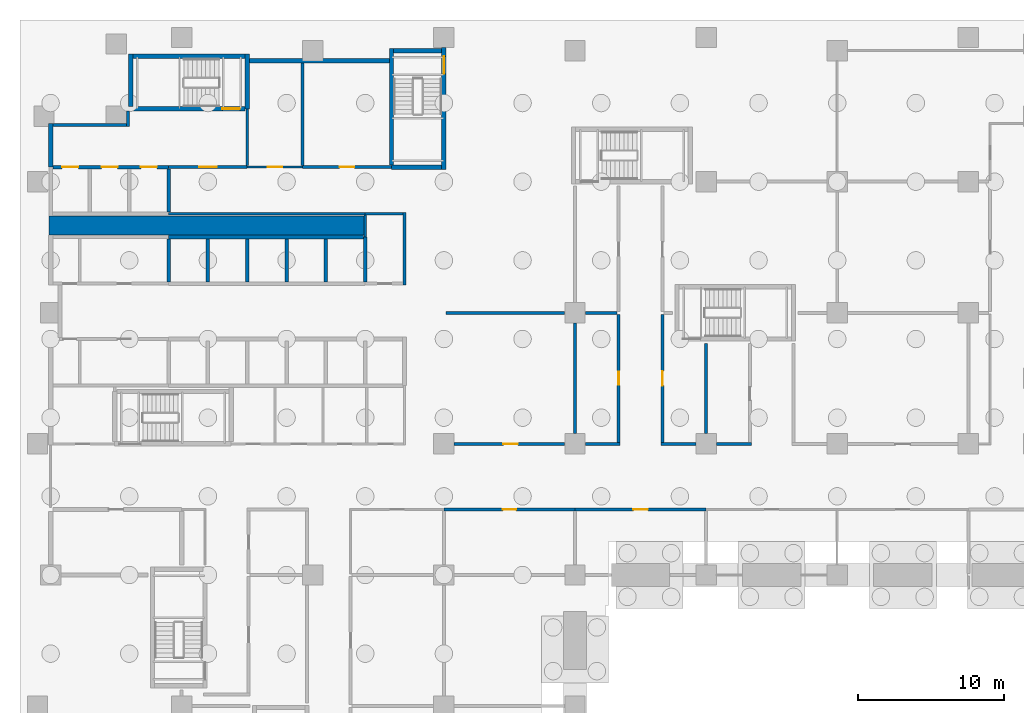
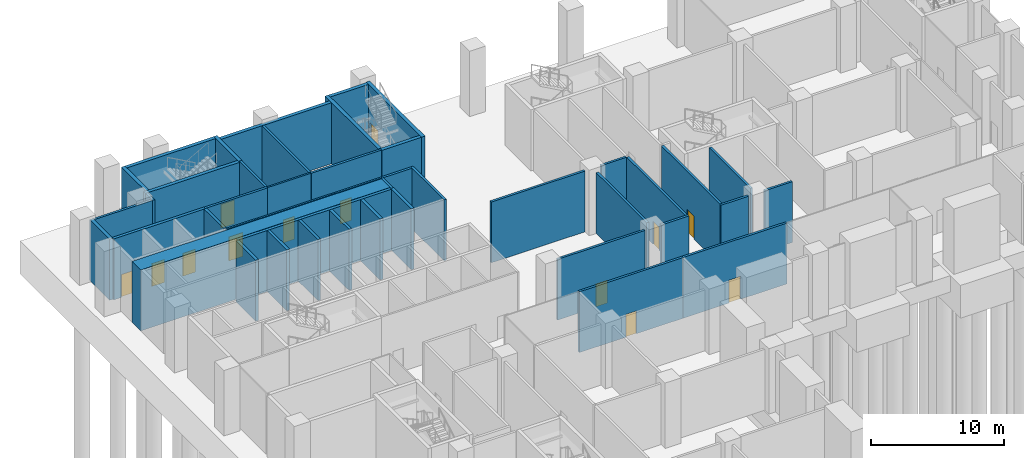
# One storey, part 5 of 12: 43 walls, 13 doors, 13 openings.
"""IFC4 building model written with IfcOpenShell, lengths in metres."""

from ifc_helpers import new_model, si_unit, direction, frame, frame_2d, origin, place, context, subcontext, project, spatial, rectangle, extrude, material, layer, layer_set, type_object, element, fill, save


model = new_model("IFC4")

# Units and contexts
model_context = context("Model", 3, precision=1e-05, world=origin(), true_north=direction((0.0, 1.0)))
body_context = subcontext(model_context, "Body", "Model", "MODEL_VIEW")
ifc_project = project(units=[si_unit("LENGTHUNIT", "METRE"), si_unit("AREAUNIT", "SQUARE_METRE"), si_unit("VOLUMEUNIT", "CUBIC_METRE"), si_unit("PLANEANGLEUNIT", "RADIAN"), si_unit("MASSUNIT", "GRAM", prefix="KILO")], contexts=[model_context])

# Site, building, storey
site_placement = place(None, origin())
site = spatial("IfcSite", under=ifc_project, at=site_placement, CompositionType="ELEMENT")
building_placement = place(site_placement, origin())
building = spatial("IfcBuilding", under=site, at=building_placement, Name="Brondeck Convention Tower", CompositionType="ELEMENT")
storey_placement = place(building_placement, frame((0.0, 0.0, -6.0)))
storey = spatial("IfcBuildingStorey", under=building, at=storey_placement, Name="B1", CompositionType="ELEMENT", Elevation=-6.0)

# Walls
ifc_material_1 = material(Name="Concrete C80/95", Category="concrete")
ifc_layer_1 = layer(ifc_material_1, 0.199951171875)
ifc_layer_set_1 = layer_set([ifc_layer_1], Name="Core beam-seat wall 200 Concrete C80/95")
wall_type_1 = type_object("IfcWallType", Name="Core beam-seat wall 200 Concrete C80/95", PredefinedType="SHEAR", material=ifc_layer_set_1)
wall_1_placement = place(storey_placement, frame((24.300048828125, 46.89990234375, 0.0), z_axis=(0.0, 0.0, 1.0), x_axis=(0.0, 1.0, 0.0)))
element("IfcWall", 1, at=wall_1_placement, inside=storey, type_object=wall_type_1, Name="B1 core wall", PredefinedType="SHEAR", context=body_context, shape_type="SweptSolid", body=[
    extrude(rectangle(XDim=5.0, YDim=0.199951171875, at=frame_2d((2.5, 0.0))), origin(), (0.0, 0.0, 1.0), 5.60009765625),
])
ifc_layer_2 = layer(ifc_material_1, 0.300048828125)
ifc_layer_set_2 = layer_set([ifc_layer_2], Name="Core outer wall 300 Concrete C80/95")
wall_type_2 = type_object("IfcWallType", Name="Core outer wall 300 Concrete C80/95", PredefinedType="SHEAR", material=ifc_layer_set_2)
wall_2_placement = place(storey_placement, frame((13.64990234375, 62.300048828125, 0.0), z_axis=(0.0, 0.0, 1.0), x_axis=(1.0, 0.0, 0.0)))
element("IfcWall", 2, at=wall_2_placement, inside=storey, type_object=wall_type_2, Name="B1 core wall", PredefinedType="SHEAR", context=body_context, shape_type="SweptSolid", body=[
    extrude(rectangle(XDim=9.60009765625, YDim=0.300048828125, at=frame_2d((4.800048828125, 0.0))), origin(), (0.0, 0.0, 1.0), 5.60009765625),
])
wall_3_placement = place(storey_placement, frame((0.0, 55.0, 0.0), z_axis=(0.0, 0.0, 1.0), x_axis=(0.0, 1.0, 0.0)))
element("IfcWall", 3, at=wall_3_placement, inside=storey, type_object=wall_type_2, Name="B1 core wall", PredefinedType="SHEAR", context=body_context, shape_type="SweptSolid", body=[
    extrude(rectangle(XDim=3.0, YDim=0.300048828125, at=frame_2d((1.5, 0.0))), origin(), (0.0, 0.0, 1.0), 5.60009765625),
])
ifc_material_2 = material(Name="Fire-rated gypsum board partition")
ifc_layer_3 = layer(ifc_material_2, 0.14990234375)
ifc_layer_set_3 = layer_set([ifc_layer_3], Name="Core partition 150 EI 60")
wall_type_3 = type_object("IfcWallType", Name="Core partition 150 EI 60", PredefinedType="PARTITIONING", material=ifc_layer_set_3)
wall_4_placement = place(storey_placement, frame((8.10009765625, 51.800048828125, 0.0), z_axis=(0.0, 0.0, 1.0), x_axis=(1.0, 0.0, 0.0)))
element("IfcWall", 4, at=wall_4_placement, inside=storey, type_object=wall_type_3, Name="B1 core wall", PredefinedType="PARTITIONING", context=body_context, shape_type="SweptSolid", body=[
    extrude(rectangle(XDim=13.5, YDim=0.14990234375, at=frame_2d((6.75, 0.0))), origin(), (0.0, 0.0, 1.0), 5.60009765625),
])

# Wall, opening, door
wall_5_placement = place(storey_placement, frame((13.5, 55.0, 0.0), z_axis=(0.0, 0.0, 1.0), x_axis=(1.0, 0.0, 0.0)))
wall_5 = element("IfcWall", 5, at=wall_5_placement, inside=storey, type_object=wall_type_3, Name="B1 core wall", PredefinedType="PARTITIONING", context=body_context, shape_type="SweptSolid", body=[
    extrude(rectangle(XDim=3.800048828125, YDim=0.14990234375, at=frame_2d((1.89990234375, 0.0))), origin(), (0.0, 0.0, 1.0), 5.60009765625),
])
opening_1_placement = place(wall_5_placement, frame((1.39990234375, 0.0, 0.0)))
opening_1 = element("IfcOpeningElement", 6, at=opening_1_placement, cuts=wall_5, Name="Opening C01-12", PredefinedType="OPENING", context=body_context, shape_type="SweptSolid", body=[
    extrude(rectangle(XDim=1.0, YDim=2.10009765625, at=frame_2d((0.5, 1.050048828125))), frame((0.0, 0.0849609375, 0.0), z_axis=(0.0, -1.0, 0.0), x_axis=(1.0, 0.0, 0.0)), (0.0, 0.0, 1.0), 0.169921875),
])
ifc_material_3 = material(Name="Steel fire door", Category="steel")
door_type_1 = type_object("IfcDoorType", Name="Room door 1000x2100 EI 60", OperationType="NOTDEFINED", PredefinedType="DOOR", material=ifc_material_3)
door_1_placement = place(opening_1_placement, origin())
door_1 = element("IfcDoor", 7, at=door_1_placement, inside=storey, type_object=door_type_1, Name="B1 Room door NE-1", OperationType="SINGLE_SWING_LEFT", OverallHeight=2.10009765625, OverallWidth=1.0, PredefinedType="DOOR", context=body_context, shape_type="SweptSolid", body=[
    extrude(rectangle(XDim=1.0, YDim=2.10009765625, at=frame_2d((0.5, 1.050048828125))), frame((0.0, 0.02490234375, 0.0), z_axis=(0.0, -1.0, 0.0), x_axis=(1.0, 0.0, 0.0)), (0.0, 0.0, 1.0), 0.050048828125),
])
fill(opening_1, door_1)

# Wall
ifc_layer_4 = layer(ifc_material_1, 1.300048828125)
ifc_layer_set_4 = layer_set([ifc_layer_4], Name="Core shear wall 1300 Concrete C80/95")
wall_type_4 = type_object("IfcWallType", Name="Core shear wall 1300 Concrete C80/95", PredefinedType="SHEAR", material=ifc_layer_set_4)
wall_6_placement = place(storey_placement, frame((-0.125, 51.0, 0.0), z_axis=(0.0, 0.0, 1.0), x_axis=(1.0, 0.0, 0.0)))
element("IfcWall", 8, at=wall_6_placement, inside=storey, type_object=wall_type_4, Name="B1 core wall", PredefinedType="SHEAR", context=body_context, shape_type="SweptSolid", body=[
    extrude(rectangle(XDim=21.625, YDim=1.300048828125, at=frame_2d((10.8125, 0.0))), origin(), (0.0, 0.0, 1.0), 5.60009765625),
])

# Wall, opening, door
ifc_layer_5 = layer(ifc_material_2, 0.199951171875)
ifc_layer_set_5 = layer_set([ifc_layer_5], Name="Firefighting lobby wall 200 EI 120")
wall_type_5 = type_object("IfcWallType", Name="Firefighting lobby wall 200 EI 120", PredefinedType="PARTITIONING", material=ifc_layer_set_5)
wall_7_placement = place(storey_placement, frame((8.10009765625, 55.0, 0.0), z_axis=(0.0, 0.0, 1.0), x_axis=(1.0, 0.0, 0.0)))
wall_7 = element("IfcWall", 9, at=wall_7_placement, inside=storey, type_object=wall_type_5, Name="B1 core wall", PredefinedType="PARTITIONING", context=body_context, shape_type="SweptSolid", body=[
    extrude(rectangle(XDim=5.39990234375, YDim=0.199951171875, at=frame_2d((2.699951171875, 0.0))), origin(), (0.0, 0.0, 1.0), 5.60009765625),
])
opening_2_placement = place(wall_7_placement, frame((2.10009765625, 0.0, 0.0)))
opening_2 = element("IfcOpeningElement", 10, at=opening_2_placement, cuts=wall_7, Name="Opening C01-01", PredefinedType="OPENING", context=body_context, shape_type="SweptSolid", body=[
    extrude(rectangle(XDim=1.199951171875, YDim=2.199951171875, at=frame_2d((0.60009765625, 1.10009765625))), frame((0.0, 0.10986328125, 0.0), z_axis=(0.0, -1.0, 0.0), x_axis=(1.0, 0.0, 0.0)), (0.0, 0.0, 1.0), 0.219970703125),
])
door_type_2 = type_object("IfcDoorType", Name="Firefighting lobby door 1200x2200 EI 120", OperationType="NOTDEFINED", PredefinedType="DOOR", material=ifc_material_3)
door_2_placement = place(opening_2_placement, origin())
door_2 = element("IfcDoor", 11, at=door_2_placement, inside=storey, type_object=door_type_2, Name="B1 Firefighting lobby door FFL-1", OperationType="SINGLE_SWING_RIGHT", OverallHeight=2.199951171875, OverallWidth=1.199951171875, PredefinedType="DOOR", context=body_context, shape_type="SweptSolid", body=[
    extrude(rectangle(XDim=1.199951171875, YDim=2.199951171875, at=frame_2d((0.60009765625, 1.10009765625))), frame((0.0, 0.02490234375, 0.0), z_axis=(0.0, -1.0, 0.0), x_axis=(1.0, 0.0, 0.0)), (0.0, 0.0, 1.0), 0.050048828125),
])
fill(opening_2, door_2)

# Walls
wall_8_placement = place(storey_placement, frame((0.14990234375, 57.89990234375, 0.0), z_axis=(0.0, 0.0, 1.0), x_axis=(1.0, 0.0, 0.0)))
element("IfcWall", 12, at=wall_8_placement, inside=storey, type_object=wall_type_5, Name="B1 core wall", PredefinedType="PARTITIONING", context=body_context, shape_type="SweptSolid", body=[
    extrude(rectangle(XDim=5.050048828125, YDim=0.199951171875, at=frame_2d((2.52490234375, 0.0))), origin(), (0.0, 0.0, 1.0), 5.60009765625),
])
wall_9_placement = place(storey_placement, frame((5.300048828125, 57.800048828125, 0.0), z_axis=(0.0, 0.0, 1.0), x_axis=(0.0, 1.0, 0.0)))
element("IfcWall", 13, at=wall_9_placement, inside=storey, type_object=wall_type_5, Name="B1 core wall", PredefinedType="PARTITIONING", context=body_context, shape_type="SweptSolid", body=[
    extrude(rectangle(XDim=1.050048828125, YDim=0.199951171875, at=frame_2d((0.52490234375, 0.0))), origin(), (0.0, 0.0, 1.0), 5.60009765625),
])
wall_10_placement = place(storey_placement, frame((13.5, 55.10009765625, 0.0), z_axis=(0.0, 0.0, 1.0), x_axis=(0.0, 1.0, 0.0)))
element("IfcWall", 14, at=wall_10_placement, inside=storey, type_object=wall_type_5, Name="B1 core wall", PredefinedType="PARTITIONING", context=body_context, shape_type="SweptSolid", body=[
    extrude(rectangle(XDim=3.89990234375, YDim=0.199951171875, at=frame_2d((1.949951171875, 0.0))), origin(), (0.0, 0.0, 1.0), 5.60009765625),
])
ifc_layer_6 = layer(ifc_material_1, 0.25)
ifc_layer_set_6 = layer_set([ifc_layer_6], Name="Lift shaft wall 250 Concrete C80/95")
wall_type_6 = type_object("IfcWallType", Name="Lift shaft wall 250 Concrete C80/95", PredefinedType="SHEAR", material=ifc_layer_set_6)
wall_11_placement = place(storey_placement, frame((8.10009765625, 50.199951171875, 0.0), z_axis=(0.0, 0.0, 1.0), x_axis=(1.0, 0.0, 0.0)))
element("IfcWall", 15, at=wall_11_placement, inside=storey, type_object=wall_type_6, Name="B1 core wall", PredefinedType="SHEAR", context=body_context, shape_type="SweptSolid", body=[
    extrude(rectangle(XDim=13.375, YDim=0.25, at=frame_2d((6.6875, 0.0))), origin(), (0.0, 0.0, 1.0), 5.60009765625),
])

# Wall, openings, doors
wall_12_placement = place(storey_placement, frame((0.14990234375, 55.0, 0.0), z_axis=(0.0, 0.0, 1.0), x_axis=(1.0, 0.0, 0.0)))
wall_12 = element("IfcWall", 16, at=wall_12_placement, inside=storey, type_object=wall_type_6, Name="B1 core wall", PredefinedType="SHEAR", context=body_context, shape_type="SweptSolid", body=[
    extrude(rectangle(XDim=7.9501953125, YDim=0.25, at=frame_2d((3.97509765625, 0.0))), origin(), (0.0, 0.0, 1.0), 5.60009765625),
])
opening_3_placement = place(wall_12_placement, frame((0.64990234375, 0.0, 0.0)))
opening_3 = element("IfcOpeningElement", 17, at=opening_3_placement, cuts=wall_12, Name="Opening C01-23", PredefinedType="OPENING", context=body_context, shape_type="SweptSolid", body=[
    extrude(rectangle(XDim=1.10009765625, YDim=2.10009765625, at=frame_2d((0.550048828125, 1.050048828125))), frame((0.0, 0.135009765625, 0.0), z_axis=(0.0, -1.0, 0.0), x_axis=(1.0, 0.0, 0.0)), (0.0, 0.0, 1.0), 0.27001953125),
])
opening_4_placement = place(wall_12_placement, frame((3.35009765625, 0.0, 0.0)))
opening_4 = element("IfcOpeningElement", 18, at=opening_4_placement, cuts=wall_12, Name="Opening C01-24", PredefinedType="OPENING", context=body_context, shape_type="SweptSolid", body=[
    extrude(rectangle(XDim=1.10009765625, YDim=2.10009765625, at=frame_2d((0.550048828125, 1.050048828125))), frame((0.0, 0.135009765625, 0.0), z_axis=(0.0, -1.0, 0.0), x_axis=(1.0, 0.0, 0.0)), (0.0, 0.0, 1.0), 0.27001953125),
])
opening_5_placement = place(wall_12_placement, frame((6.050048828125, 0.0, 0.0)))
opening_5 = element("IfcOpeningElement", 19, at=opening_5_placement, cuts=wall_12, Name="Opening C01-25", PredefinedType="OPENING", context=body_context, shape_type="SweptSolid", body=[
    extrude(rectangle(XDim=1.10009765625, YDim=2.10009765625, at=frame_2d((0.550048828125, 1.050048828125))), frame((0.0, 0.135009765625, 0.0), z_axis=(0.0, -1.0, 0.0), x_axis=(1.0, 0.0, 0.0)), (0.0, 0.0, 1.0), 0.27001953125),
])
ifc_material_4 = material(Name="Stainless steel lift door", Category="steel")
door_type_3 = type_object("IfcDoorType", Name="Lift landing door 1100x2100 EI 180", OperationType="DOUBLE_DOOR_SLIDING", PredefinedType="DOOR", material=ifc_material_4)
door_3_placement = place(opening_3_placement, origin())
door_3 = element("IfcDoor", 20, at=door_3_placement, inside=storey, type_object=door_type_3, Name="B1 Lift landing door FF1", OperationType="DOUBLE_DOOR_SLIDING", OverallHeight=2.10009765625, OverallWidth=1.10009765625, PredefinedType="DOOR", context=body_context, shape_type="SweptSolid", body=[
    extrude(rectangle(XDim=1.10009765625, YDim=2.10009765625, at=frame_2d((0.550048828125, 1.050048828125))), frame((0.0, 0.02490234375, 0.0), z_axis=(0.0, -1.0, 0.0), x_axis=(1.0, 0.0, 0.0)), (0.0, 0.0, 1.0), 0.050048828125),
])
fill(opening_3, door_3)
door_4_placement = place(opening_4_placement, origin())
door_4 = element("IfcDoor", 21, at=door_4_placement, inside=storey, type_object=door_type_3, Name="B1 Lift landing door FF2", OperationType="DOUBLE_DOOR_SLIDING", OverallHeight=2.10009765625, OverallWidth=1.10009765625, PredefinedType="DOOR", context=body_context, shape_type="SweptSolid", body=[
    extrude(rectangle(XDim=1.10009765625, YDim=2.10009765625, at=frame_2d((0.550048828125, 1.050048828125))), frame((0.0, 0.02490234375, 0.0), z_axis=(0.0, -1.0, 0.0), x_axis=(1.0, 0.0, 0.0)), (0.0, 0.0, 1.0), 0.050048828125),
])
fill(opening_4, door_4)
door_5_placement = place(opening_5_placement, origin())
door_5 = element("IfcDoor", 22, at=door_5_placement, inside=storey, type_object=door_type_3, Name="B1 Lift landing door FF3", OperationType="DOUBLE_DOOR_SLIDING", OverallHeight=2.10009765625, OverallWidth=1.10009765625, PredefinedType="DOOR", context=body_context, shape_type="SweptSolid", body=[
    extrude(rectangle(XDim=1.10009765625, YDim=2.10009765625, at=frame_2d((0.550048828125, 1.050048828125))), frame((0.0, 0.02490234375, 0.0), z_axis=(0.0, -1.0, 0.0), x_axis=(1.0, 0.0, 0.0)), (0.0, 0.0, 1.0), 0.050048828125),
])
fill(opening_5, door_5)

# Walls
for number, where, z_axis, x_axis, name in (
    (23, (8.10009765625, 47.125, 0.0), (0.0, 0.0, 1.0), (0.0, 1.0, 0.0), "B1 core wall"),
    (24, (8.10009765625, 51.925048828125, 0.0), (0.0, 0.0, 1.0), (0.0, 1.0, 0.0), "B1 core wall"),
    (25, (10.800048828125, 47.125, 0.0), (0.0, 0.0, 1.0), (0.0, 1.0, 0.0), "B1 core wall"),
    (26, (13.5, 47.125, 0.0), (0.0, 0.0, 1.0), (0.0, 1.0, 0.0), "B1 core wall"),
    (27, (16.199951171875, 47.125, 0.0), (0.0, 0.0, 1.0), (0.0, 1.0, 0.0), "B1 core wall"),
    (28, (18.89990234375, 47.125, 0.0), (0.0, 0.0, 1.0), (0.0, 1.0, 0.0), "B1 core wall"),
):
    element("IfcWall", number, at=place(storey_placement, frame(where, z_axis=z_axis, x_axis=x_axis)), inside=storey, type_object=wall_type_6, Name=name, PredefinedType="SHEAR", context=body_context, shape_type="SweptSolid", body=[
        extrude(rectangle(XDim=2.949951171875, YDim=0.25, at=frame_2d((1.47509765625, 0.0))), origin(), (0.0, 0.0, 1.0), 5.60009765625),
    ])
wall_13_placement = place(storey_placement, frame((21.60009765625, 47.125, 0.0), z_axis=(0.0, 0.0, 1.0), x_axis=(0.0, 1.0, 0.0)))
element("IfcWall", 29, at=wall_13_placement, inside=storey, type_object=wall_type_6, Name="B1 core wall", PredefinedType="SHEAR", context=body_context, shape_type="SweptSolid", body=[
    extrude(rectangle(XDim=3.074951171875, YDim=0.25, at=frame_2d((1.53759765625, 0.0))), origin(), (0.0, 0.0, 1.0), 5.60009765625),
])

# Wall, opening, door
ifc_material_5 = material(Name="Concrete block wall C16/20", Category="concrete")
ifc_layer_7 = layer(ifc_material_5, 0.199951171875)
ifc_layer_set_7 = layer_set([ifc_layer_7], Name="Plant room wall 200")
wall_type_7 = type_object("IfcWallType", Name="Plant room wall 200", PredefinedType="PARTITIONING", material=ifc_layer_set_7)
wall_14_placement = place(storey_placement, frame((36.0, 31.5, 0.0), z_axis=(0.0, 0.0, 1.0), x_axis=(-1.0, 0.0, 0.0)))
wall_14 = element("IfcWall", 30, at=wall_14_placement, inside=storey, type_object=wall_type_7, Name="FLR-B1-W063", PredefinedType="PARTITIONING", context=body_context, shape_type="SweptSolid", body=[
    extrude(rectangle(XDim=9.0, YDim=0.199951171875, at=frame_2d((4.5, 0.0))), origin(), (0.0, 0.0, 1.0), 5.580078125),
])
opening_6_placement = place(wall_14_placement, frame((4.050048828125, 0.0, 0.0)))
opening_6 = element("IfcOpeningElement", 31, at=opening_6_placement, cuts=wall_14, Name="Opening P-B1-009", PredefinedType="OPENING", context=body_context, shape_type="SweptSolid", body=[
    extrude(rectangle(XDim=0.89990234375, YDim=2.10009765625, at=frame_2d((0.449951171875, 1.050048828125))), frame((0.0, 0.10986328125, 0.0), z_axis=(0.0, -1.0, 0.0), x_axis=(1.0, 0.0, 0.0)), (0.0, 0.0, 1.0), 0.219970703125),
])
ifc_material_6 = material(Name="Solid timber door leaf", Category="wood")
door_type_4 = type_object("IfcDoorType", Name="Single door 900", OperationType="NOTDEFINED", PredefinedType="DOOR", material=ifc_material_6)
door_6_placement = place(opening_6_placement, origin())
door_6 = element("IfcDoor", 32, at=door_6_placement, inside=storey, type_object=door_type_4, Name="Door P-B1-009", OperationType="SINGLE_SWING_RIGHT", OverallHeight=2.10009765625, OverallWidth=0.89990234375, PredefinedType="DOOR", context=body_context, shape_type="SweptSolid", body=[
    extrude(rectangle(XDim=0.89990234375, YDim=2.10009765625, at=frame_2d((0.449951171875, 1.050048828125))), frame((0.0, 0.02490234375, 0.0), z_axis=(0.0, -1.0, 0.0), x_axis=(1.0, 0.0, 0.0)), (0.0, 0.0, 1.0), 0.050048828125),
])
fill(opening_6, door_6)

wall_15_placement = place(storey_placement, frame((45.0, 31.5, 0.0), z_axis=(0.0, 0.0, 1.0), x_axis=(-1.0, 0.0, 0.0)))
wall_15 = element("IfcWall", 33, at=wall_15_placement, inside=storey, type_object=wall_type_7, Name="FLR-B1-W064", PredefinedType="PARTITIONING", context=body_context, shape_type="SweptSolid", body=[
    extrude(rectangle(XDim=9.0, YDim=0.199951171875, at=frame_2d((4.5, 0.0))), origin(), (0.0, 0.0, 1.0), 5.580078125),
])
opening_7_placement = place(wall_15_placement, frame((4.0, 0.0, 0.0)))
opening_7 = element("IfcOpeningElement", 34, at=opening_7_placement, cuts=wall_15, Name="Opening P-B1-010", PredefinedType="OPENING", context=body_context, shape_type="SweptSolid", body=[
    extrude(rectangle(XDim=1.0, YDim=2.10009765625, at=frame_2d((0.5, 1.050048828125))), frame((0.0, 0.10986328125, 0.0), z_axis=(0.0, -1.0, 0.0), x_axis=(1.0, 0.0, 0.0)), (0.0, 0.0, 1.0), 0.219970703125),
])
ifc_material_7 = material(Name="Steel fire door leaf", Category="steel")
door_type_5 = type_object("IfcDoorType", Name="Plant room door 1000", OperationType="NOTDEFINED", PredefinedType="DOOR", material=ifc_material_7)
door_7_placement = place(opening_7_placement, origin())
door_7 = element("IfcDoor", 35, at=door_7_placement, inside=storey, type_object=door_type_5, Name="Door P-B1-010", OperationType="SINGLE_SWING_RIGHT", OverallHeight=2.10009765625, OverallWidth=1.0, PredefinedType="DOOR", context=body_context, shape_type="SweptSolid", body=[
    extrude(rectangle(XDim=1.0, YDim=2.10009765625, at=frame_2d((0.5, 1.050048828125))), frame((0.0, 0.02490234375, 0.0), z_axis=(0.0, -1.0, 0.0), x_axis=(1.0, 0.0, 0.0)), (0.0, 0.0, 1.0), 0.050048828125),
])
fill(opening_7, door_7)

wall_16_placement = place(storey_placement, frame((27.705078125, 36.0, 0.0), z_axis=(0.0, 0.0, 1.0), x_axis=(1.0, 0.0, 0.0)))
wall_16 = element("IfcWall", 36, at=wall_16_placement, inside=storey, type_object=wall_type_7, Name="FLR-B1-W070", PredefinedType="PARTITIONING", context=body_context, shape_type="SweptSolid", body=[
    extrude(rectangle(XDim=7.58984375, YDim=0.199951171875, at=frame_2d((3.794921875, 0.0))), origin(), (0.0, 0.0, 1.0), 5.580078125),
])
opening_8_placement = place(wall_16_placement, frame((3.3701171875, 0.0, 0.0)))
opening_8 = element("IfcOpeningElement", 37, at=opening_8_placement, cuts=wall_16, Name="Opening P-B1-017", PredefinedType="OPENING", context=body_context, shape_type="SweptSolid", body=[
    extrude(rectangle(XDim=1.0, YDim=2.10009765625, at=frame_2d((0.5, 1.050048828125))), frame((0.0, 0.10986328125, 0.0), z_axis=(0.0, -1.0, 0.0), x_axis=(1.0, 0.0, 0.0)), (0.0, 0.0, 1.0), 0.219970703125),
])
door_8_placement = place(opening_8_placement, origin())
door_8 = element("IfcDoor", 38, at=door_8_placement, inside=storey, type_object=door_type_5, Name="Door P-B1-017", OperationType="SINGLE_SWING_RIGHT", OverallHeight=2.10009765625, OverallWidth=1.0, PredefinedType="DOOR", context=body_context, shape_type="SweptSolid", body=[
    extrude(rectangle(XDim=1.0, YDim=2.10009765625, at=frame_2d((0.5, 1.050048828125))), frame((0.0, 0.02490234375, 0.0), z_axis=(0.0, -1.0, 0.0), x_axis=(1.0, 0.0, 0.0)), (0.0, 0.0, 1.0), 0.050048828125),
])
fill(opening_8, door_8)

# Walls
for number, where, z_axis, x_axis, name in (
    (39, (36.705078125, 36.0, 0.0), (0.0, 0.0, 1.0), (1.0, 0.0, 0.0), "FLR-B1-W071"),
    (40, (41.89990234375, 36.0, 0.0), (0.0, 0.0, 1.0), (1.0, 0.0, 0.0), "FLR-B1-W072"),
    (41, (45.705078125, 36.0, 0.0), (0.0, 0.0, 1.0), (1.0, 0.0, 0.0), "FLR-B1-W073"),
):
    element("IfcWall", number, at=place(storey_placement, frame(where, z_axis=z_axis, x_axis=x_axis)), inside=storey, type_object=wall_type_7, Name=name, PredefinedType="PARTITIONING", context=body_context, shape_type="SweptSolid", body=[
        extrude(rectangle(XDim=2.39501953125, YDim=0.199951171875, at=frame_2d((1.197509765625, 0.0))), origin(), (0.0, 0.0, 1.0), 5.580078125),
    ])

# Wall, opening, door
wall_17_placement = place(storey_placement, frame((39.0, 36.10009765625, 0.0), z_axis=(0.0, 0.0, 1.0), x_axis=(0.0, 1.0, 0.0)))
wall_17 = element("IfcWall", 42, at=wall_17_placement, inside=storey, type_object=wall_type_7, Name="FLR-B1-W079", PredefinedType="PARTITIONING", context=body_context, shape_type="SweptSolid", body=[
    extrude(rectangle(XDim=8.7998046875, YDim=0.199951171875, at=frame_2d((4.39990234375, 0.0))), origin(), (0.0, 0.0, 1.0), 5.580078125),
])
opening_9_placement = place(wall_17_placement, frame((3.949951171875, 0.0, 0.0)))
opening_9 = element("IfcOpeningElement", 43, at=opening_9_placement, cuts=wall_17, Name="Opening P-B1-018", PredefinedType="OPENING", context=body_context, shape_type="SweptSolid", body=[
    extrude(rectangle(XDim=0.89990234375, YDim=2.10009765625, at=frame_2d((0.449951171875, 1.050048828125))), frame((0.0, 0.10986328125, 0.0), z_axis=(0.0, -1.0, 0.0), x_axis=(1.0, 0.0, 0.0)), (0.0, 0.0, 1.0), 0.219970703125),
])
door_9_placement = place(opening_9_placement, origin())
door_9 = element("IfcDoor", 44, at=door_9_placement, inside=storey, type_object=door_type_4, Name="Door P-B1-018", OperationType="SINGLE_SWING_RIGHT", OverallHeight=2.10009765625, OverallWidth=0.89990234375, PredefinedType="DOOR", context=body_context, shape_type="SweptSolid", body=[
    extrude(rectangle(XDim=0.89990234375, YDim=2.10009765625, at=frame_2d((0.449951171875, 1.050048828125))), frame((0.0, 0.02490234375, 0.0), z_axis=(0.0, -1.0, 0.0), x_axis=(1.0, 0.0, 0.0)), (0.0, 0.0, 1.0), 0.050048828125),
])
fill(opening_9, door_9)

# Walls
wall_18_placement = place(storey_placement, frame((45.0, 36.705078125, 0.0), z_axis=(0.0, 0.0, 1.0), x_axis=(0.0, 1.0, 0.0)))
element("IfcWall", 45, at=wall_18_placement, inside=storey, type_object=wall_type_7, Name="FLR-B1-W081", PredefinedType="PARTITIONING", context=body_context, shape_type="SweptSolid", body=[
    extrude(rectangle(XDim=6.19482421875, YDim=0.199951171875, at=frame_2d((3.097412109375, 0.0))), origin(), (0.0, 0.0, 1.0), 5.580078125),
])
wall_19_placement = place(storey_placement, frame((36.0, 44.294921875, 0.0), z_axis=(0.0, 0.0, 1.0), x_axis=(0.0, -1.0, 0.0)))
element("IfcWall", 46, at=wall_19_placement, inside=storey, type_object=wall_type_7, Name="FLR-B1-W085", PredefinedType="PARTITIONING", context=body_context, shape_type="SweptSolid", body=[
    extrude(rectangle(XDim=7.58984375, YDim=0.199951171875, at=frame_2d((3.794921875, 0.0))), origin(), (0.0, 0.0, 1.0), 5.580078125),
])

# Wall, opening, door
wall_20_placement = place(storey_placement, frame((42.0, 44.89990234375, 0.0), z_axis=(0.0, 0.0, 1.0), x_axis=(0.0, -1.0, 0.0)))
wall_20 = element("IfcWall", 47, at=wall_20_placement, inside=storey, type_object=wall_type_7, Name="FLR-B1-W088", PredefinedType="PARTITIONING", context=body_context, shape_type="SweptSolid", body=[
    extrude(rectangle(XDim=8.7998046875, YDim=0.199951171875, at=frame_2d((4.39990234375, 0.0))), origin(), (0.0, 0.0, 1.0), 5.580078125),
])
opening_10_placement = place(wall_20_placement, frame((3.89990234375, 0.0, 0.0)))
opening_10 = element("IfcOpeningElement", 48, at=opening_10_placement, cuts=wall_20, Name="Opening P-B1-016", PredefinedType="OPENING", context=body_context, shape_type="SweptSolid", body=[
    extrude(rectangle(XDim=1.0, YDim=2.10009765625, at=frame_2d((0.5, 1.050048828125))), frame((0.0, 0.10986328125, 0.0), z_axis=(0.0, -1.0, 0.0), x_axis=(1.0, 0.0, 0.0)), (0.0, 0.0, 1.0), 0.219970703125),
])
door_10_placement = place(opening_10_placement, origin())
door_10 = element("IfcDoor", 49, at=door_10_placement, inside=storey, type_object=door_type_5, Name="Door P-B1-016", OperationType="SINGLE_SWING_RIGHT", OverallHeight=2.10009765625, OverallWidth=1.0, PredefinedType="DOOR", context=body_context, shape_type="SweptSolid", body=[
    extrude(rectangle(XDim=1.0, YDim=2.10009765625, at=frame_2d((0.5, 1.050048828125))), frame((0.0, 0.02490234375, 0.0), z_axis=(0.0, -1.0, 0.0), x_axis=(1.0, 0.0, 0.0)), (0.0, 0.0, 1.0), 0.050048828125),
])
fill(opening_10, door_10)

# Walls
wall_21_placement = place(storey_placement, frame((27.14990234375, 45.0, 0.0), z_axis=(0.0, 0.0, 1.0), x_axis=(1.0, 0.0, 0.0)))
element("IfcWall", 50, at=wall_21_placement, inside=storey, type_object=wall_type_7, Name="FLR-B1-W090", PredefinedType="PARTITIONING", context=body_context, shape_type="SweptSolid", body=[
    extrude(rectangle(XDim=8.14501953125, YDim=0.199951171875, at=frame_2d((4.072509765625, 0.0))), origin(), (0.0, 0.0, 1.0), 5.580078125),
])
wall_22_placement = place(storey_placement, frame((36.705078125, 45.0, 0.0), z_axis=(0.0, 0.0, 1.0), x_axis=(1.0, 0.0, 0.0)))
element("IfcWall", 51, at=wall_22_placement, inside=storey, type_object=wall_type_7, Name="FLR-B1-W091", PredefinedType="PARTITIONING", context=body_context, shape_type="SweptSolid", body=[
    extrude(rectangle(XDim=2.19482421875, YDim=0.199951171875, at=frame_2d((1.097412109375, 0.0))), origin(), (0.0, 0.0, 1.0), 5.580078125),
])
ifc_layer_8 = layer(ifc_material_2, 0.199951171875)
ifc_layer_set_8 = layer_set([ifc_layer_8], Name="Riser wall 200 EI 120")
wall_type_8 = type_object("IfcWallType", Name="Riser wall 200 EI 120", PredefinedType="PARTITIONING", material=ifc_layer_set_8)
wall_23_placement = place(storey_placement, frame((21.60009765625, 51.800048828125, 0.0), z_axis=(0.0, 0.0, 1.0), x_axis=(1.0, 0.0, 0.0)))
element("IfcWall", 52, at=wall_23_placement, inside=storey, type_object=wall_type_8, Name="B1 core wall", PredefinedType="PARTITIONING", context=body_context, shape_type="SweptSolid", body=[
    extrude(rectangle(XDim=2.599853515625, YDim=0.199951171875, at=frame_2d((1.2998046875, 0.0))), origin(), (0.0, 0.0, 1.0), 5.60009765625),
])

# Wall, opening, door
wall_24_placement = place(storey_placement, frame((17.300048828125, 55.0, 0.0), z_axis=(0.0, 0.0, 1.0), x_axis=(1.0, 0.0, 0.0)))
wall_24 = element("IfcWall", 53, at=wall_24_placement, inside=storey, type_object=wall_type_8, Name="B1 core wall", PredefinedType="PARTITIONING", context=body_context, shape_type="SweptSolid", body=[
    extrude(rectangle(XDim=6.099853515625, YDim=0.199951171875, at=frame_2d((3.0498046875, 0.0))), origin(), (0.0, 0.0, 1.0), 5.60009765625),
])
opening_11_placement = place(wall_24_placement, frame((2.550048828125, 0.0, 0.0)))
opening_11 = element("IfcOpeningElement", 54, at=opening_11_placement, cuts=wall_24, Name="Opening C01-13", PredefinedType="OPENING", context=body_context, shape_type="SweptSolid", body=[
    extrude(rectangle(XDim=1.0, YDim=2.10009765625, at=frame_2d((0.5, 1.050048828125))), frame((0.0, 0.10986328125, 0.0), z_axis=(0.0, -1.0, 0.0), x_axis=(1.0, 0.0, 0.0)), (0.0, 0.0, 1.0), 0.219970703125),
])
door_type_6 = type_object("IfcDoorType", Name="Riser door 1000x2100 EI 120", OperationType="NOTDEFINED", PredefinedType="DOOR", material=ifc_material_3)
door_11_placement = place(opening_11_placement, origin())
door_11 = element("IfcDoor", 55, at=door_11_placement, inside=storey, type_object=door_type_6, Name="B1 Riser door NE-2", OperationType="SINGLE_SWING_RIGHT", OverallHeight=2.10009765625, OverallWidth=1.0, PredefinedType="DOOR", context=body_context, shape_type="SweptSolid", body=[
    extrude(rectangle(XDim=1.0, YDim=2.10009765625, at=frame_2d((0.5, 1.050048828125))), frame((0.0, 0.02490234375, 0.0), z_axis=(0.0, -1.0, 0.0), x_axis=(1.0, 0.0, 0.0)), (0.0, 0.0, 1.0), 0.050048828125),
])
fill(opening_11, door_11)

# Walls
wall_25_placement = place(storey_placement, frame((17.300048828125, 55.10009765625, 0.0), z_axis=(0.0, 0.0, 1.0), x_axis=(0.0, 1.0, 0.0)))
element("IfcWall", 56, at=wall_25_placement, inside=storey, type_object=wall_type_8, Name="B1 core wall", PredefinedType="PARTITIONING", context=body_context, shape_type="SweptSolid", body=[
    extrude(rectangle(XDim=7.0498046875, YDim=0.199951171875, at=frame_2d((3.52490234375, 0.0))), origin(), (0.0, 0.0, 1.0), 5.60009765625),
])
wall_26_placement = place(storey_placement, frame((21.60009765625, 50.199951171875, 0.0), z_axis=(0.0, 0.0, 1.0), x_axis=(0.0, 1.0, 0.0)))
element("IfcWall", 57, at=wall_26_placement, inside=storey, type_object=wall_type_8, Name="B1 core wall", PredefinedType="PARTITIONING", context=body_context, shape_type="SweptSolid", body=[
    extrude(rectangle(XDim=1.5, YDim=0.199951171875, at=frame_2d((0.75, 0.0))), origin(), (0.0, 0.0, 1.0), 5.60009765625),
])
ifc_layer_9 = layer(ifc_material_1, 0.300048828125)
ifc_layer_set_9 = layer_set([ifc_layer_9], Name="Stair enclosure wall 300 Concrete C80/95")
wall_type_9 = type_object("IfcWallType", Name="Stair enclosure wall 300 Concrete C80/95", PredefinedType="SHEAR", material=ifc_layer_set_9)
wall_27_placement = place(storey_placement, frame((23.39990234375, 55.0, 0.0), z_axis=(0.0, 0.0, 1.0), x_axis=(1.0, 0.0, 0.0)))
element("IfcWall", 58, at=wall_27_placement, inside=storey, type_object=wall_type_9, Name="B1 core wall", PredefinedType="SHEAR", context=body_context, shape_type="SweptSolid", body=[
    extrude(rectangle(XDim=3.4501953125, YDim=0.300048828125, at=frame_2d((1.72509765625, 0.0))), origin(), (0.0, 0.0, 1.0), 5.60009765625),
])

# Wall, opening, door
wall_28_placement = place(storey_placement, frame((5.199951171875, 59.0, 0.0), z_axis=(0.0, 0.0, 1.0), x_axis=(1.0, 0.0, 0.0)))
wall_28 = element("IfcWall", 59, at=wall_28_placement, inside=storey, type_object=wall_type_9, Name="B1 core wall", PredefinedType="SHEAR", context=body_context, shape_type="SweptSolid", body=[
    extrude(rectangle(XDim=8.150146484375, YDim=0.300048828125, at=frame_2d((4.0751953125, 0.0))), origin(), (0.0, 0.0, 1.0), 5.60009765625),
])
opening_12_placement = place(wall_28_placement, frame((6.60009765625, 0.0, 0.0)))
opening_12 = element("IfcOpeningElement", 60, at=opening_12_placement, cuts=wall_28, Name="Opening C01-18", PredefinedType="OPENING", context=body_context, shape_type="SweptSolid", body=[
    extrude(rectangle(XDim=1.199951171875, YDim=2.199951171875, at=frame_2d((0.60009765625, 1.10009765625))), frame((0.0, 0.159912109375, 0.0), z_axis=(0.0, -1.0, 0.0), x_axis=(1.0, 0.0, 0.0)), (0.0, 0.0, 1.0), 0.320068359375),
])
door_type_7 = type_object("IfcDoorType", Name="Stair door 1200x2200 EI 120", OperationType="NOTDEFINED", PredefinedType="DOOR", material=ifc_material_3)
door_12_placement = place(opening_12_placement, origin())
door_12 = element("IfcDoor", 61, at=door_12_placement, inside=storey, type_object=door_type_7, Name="B1 Stair door ST-3", OperationType="SINGLE_SWING_RIGHT", OverallHeight=2.199951171875, OverallWidth=1.199951171875, PredefinedType="DOOR", context=body_context, shape_type="SweptSolid", body=[
    extrude(rectangle(XDim=1.199951171875, YDim=2.199951171875, at=frame_2d((0.60009765625, 1.10009765625))), frame((0.0, 0.02490234375, 0.0), z_axis=(0.0, -1.0, 0.0), x_axis=(1.0, 0.0, 0.0)), (0.0, 0.0, 1.0), 0.050048828125),
])
fill(opening_12, door_12)

# Walls
wall_29_placement = place(storey_placement, frame((5.64990234375, 62.60009765625, 0.0), z_axis=(0.0, 0.0, 1.0), x_axis=(1.0, 0.0, 0.0)))
element("IfcWall", 62, at=wall_29_placement, inside=storey, type_object=wall_type_9, Name="B1 core wall", PredefinedType="SHEAR", context=body_context, shape_type="SweptSolid", body=[
    extrude(rectangle(XDim=7.7001953125, YDim=0.300048828125, at=frame_2d((3.85009765625, 0.0))), origin(), (0.0, 0.0, 1.0), 5.60009765625),
])
wall_30_placement = place(storey_placement, frame((23.550048828125, 63.0, 0.0), z_axis=(0.0, 0.0, 1.0), x_axis=(1.0, 0.0, 0.0)))
element("IfcWall", 63, at=wall_30_placement, inside=storey, type_object=wall_type_9, Name="B1 core wall", PredefinedType="SHEAR", context=body_context, shape_type="SweptSolid", body=[
    extrude(rectangle(XDim=3.300048828125, YDim=0.300048828125, at=frame_2d((1.64990234375, 0.0))), origin(), (0.0, 0.0, 1.0), 5.60009765625),
])
wall_31_placement = place(storey_placement, frame((5.5, 59.14990234375, 0.0), z_axis=(0.0, 0.0, 1.0), x_axis=(0.0, 1.0, 0.0)))
element("IfcWall", 64, at=wall_31_placement, inside=storey, type_object=wall_type_9, Name="B1 core wall", PredefinedType="SHEAR", context=body_context, shape_type="SweptSolid", body=[
    extrude(rectangle(XDim=3.60009765625, YDim=0.300048828125, at=frame_2d((1.800048828125, 0.0))), origin(), (0.0, 0.0, 1.0), 5.60009765625),
])
wall_32_placement = place(storey_placement, frame((13.5, 59.0, 0.0), z_axis=(0.0, 0.0, 1.0), x_axis=(0.0, 1.0, 0.0)))
element("IfcWall", 65, at=wall_32_placement, inside=storey, type_object=wall_type_9, Name="B1 core wall", PredefinedType="SHEAR", context=body_context, shape_type="SweptSolid", body=[
    extrude(rectangle(XDim=3.75, YDim=0.300048828125, at=frame_2d((1.875, 0.0))), origin(), (0.0, 0.0, 1.0), 5.60009765625),
])
wall_33_placement = place(storey_placement, frame((23.39990234375, 55.14990234375, 0.0), z_axis=(0.0, 0.0, 1.0), x_axis=(0.0, 1.0, 0.0)))
element("IfcWall", 66, at=wall_33_placement, inside=storey, type_object=wall_type_9, Name="B1 core wall", PredefinedType="SHEAR", context=body_context, shape_type="SweptSolid", body=[
    extrude(rectangle(XDim=8.0, YDim=0.300048828125, at=frame_2d((4.0, 0.0))), origin(), (0.0, 0.0, 1.0), 5.60009765625),
])

# Wall, opening, door
wall_34_placement = place(storey_placement, frame((27.0, 54.85009765625, 0.0), z_axis=(0.0, 0.0, 1.0), x_axis=(0.0, 1.0, 0.0)))
wall_34 = element("IfcWall", 67, at=wall_34_placement, inside=storey, type_object=wall_type_9, Name="B1 core wall", PredefinedType="SHEAR", context=body_context, shape_type="SweptSolid", body=[
    extrude(rectangle(XDim=8.349853515625, YDim=0.300048828125, at=frame_2d((4.1748046875, 0.0))), origin(), (0.0, 0.0, 1.0), 5.60009765625),
])
opening_13_placement = place(wall_34_placement, frame((6.550048828125, 0.0, 0.0)))
opening_13 = element("IfcOpeningElement", 68, at=opening_13_placement, cuts=wall_34, Name="Opening C01-17", PredefinedType="OPENING", context=body_context, shape_type="SweptSolid", body=[
    extrude(rectangle(XDim=1.199951171875, YDim=2.199951171875, at=frame_2d((0.60009765625, 1.10009765625))), frame((0.0, 0.159912109375, 0.0), z_axis=(0.0, -1.0, 0.0), x_axis=(1.0, 0.0, 0.0)), (0.0, 0.0, 1.0), 0.320068359375),
])
door_type_8 = type_object("IfcDoorType", Name="Stair door 1200x2200 EI 90", OperationType="NOTDEFINED", PredefinedType="DOOR", material=ifc_material_3)
door_13_placement = place(opening_13_placement, origin())
door_13 = element("IfcDoor", 69, at=door_13_placement, inside=storey, type_object=door_type_8, Name="B1 Stair door ST-2", OperationType="SINGLE_SWING_LEFT", OverallHeight=2.199951171875, OverallWidth=1.199951171875, PredefinedType="DOOR", context=body_context, shape_type="SweptSolid", body=[
    extrude(rectangle(XDim=1.199951171875, YDim=2.199951171875, at=frame_2d((0.60009765625, 1.10009765625))), frame((0.0, 0.02490234375, 0.0), z_axis=(0.0, -1.0, 0.0), x_axis=(1.0, 0.0, 0.0)), (0.0, 0.0, 1.0), 0.050048828125),
])
fill(opening_13, door_13)

save(model, "model.ifc")
